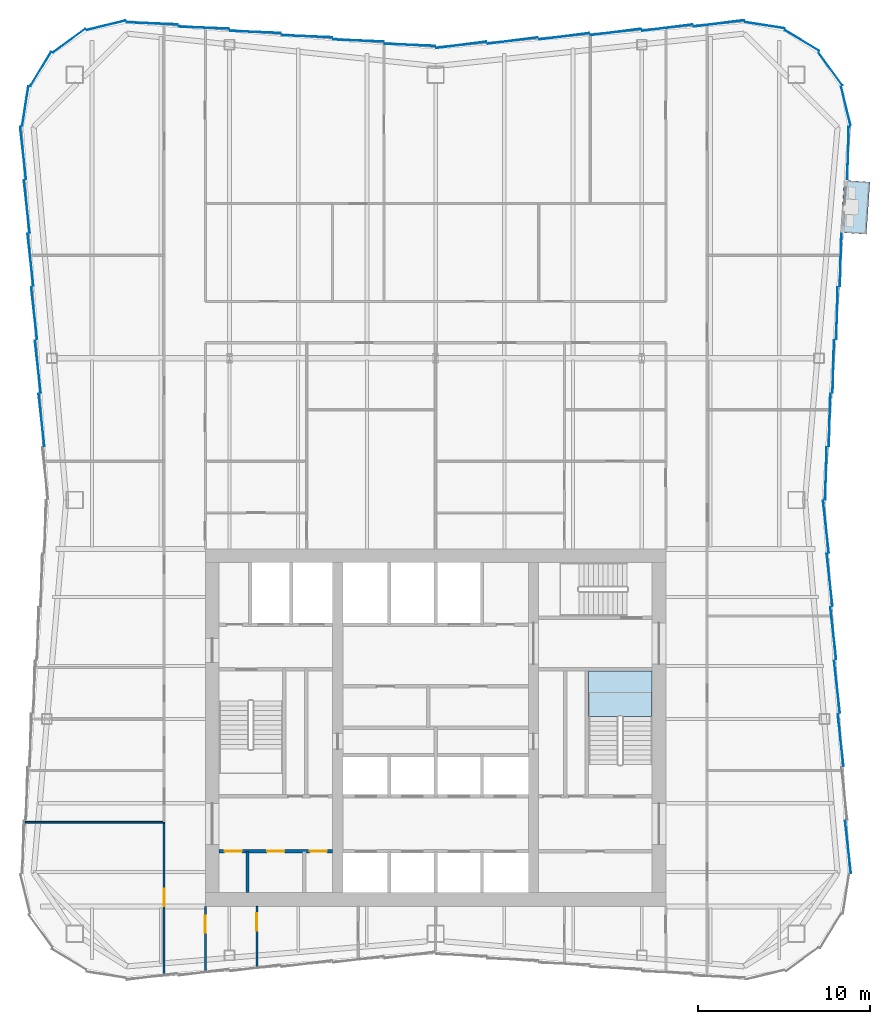
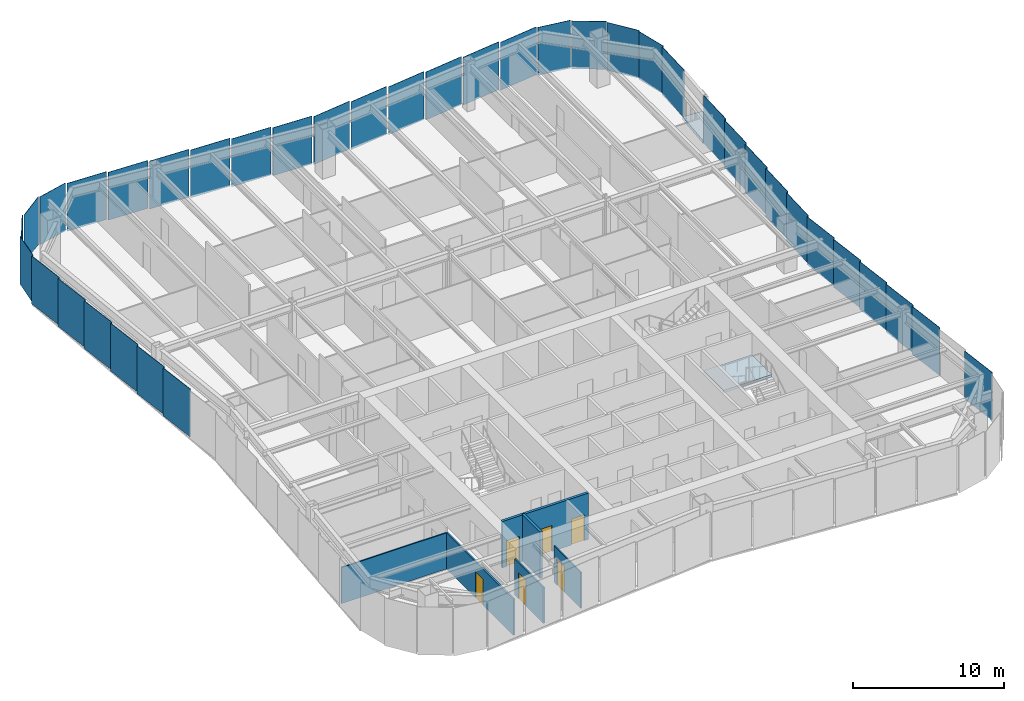
# One storey, part 5 of 12: 38 plates, 6 doors, 6 walls, 2 slabs, 6 openings, 6 elements without a shape of their own.
"""IFC4 building model written with IfcOpenShell, lengths in metres."""

import ifcopenshell
import ifcopenshell.guid

model = None  # the IFC model being written
_history = None  # IfcOwnerHistory: only IFC2X3 demands one
_inside = {}  # id of a spatial element -> (the spatial element, [elements in it])
_under = {}  # id of a project, library or spatial element -> (it, [spatial elements below it])
_declared = {}  # id of a project -> (the project, [libraries it declares])
_typed = {}  # id of a type object -> (the type object, [elements of that type])
_made_of = {}  # id of a material, layer set ... -> (it, [elements and type objects made of it])


def new_model(schema):
    """Start an empty IFC model of exactly this schema.

    Asked for "IFC4X3", IfcOpenShell would pick the latest addendum, in which some entities
    have other attributes; the version numbers below select the first issue.
    IFC2X3 requires an IfcOwnerHistory on every rooted entity: one is made here for all.
    """
    global model, _history
    if schema == "IFC4X3":
        model = ifcopenshell.file(schema_version=(4, 3, 0, 0))
    else:
        model = ifcopenshell.file(schema=schema)
    _inside.clear()
    _under.clear()
    _declared.clear()
    _typed.clear()
    _made_of.clear()
    _history = None
    if model.schema == "IFC2X3":
        org = make("IfcOrganization", Name="unknown")
        user = make(
            "IfcPersonAndOrganization",
            ThePerson=make("IfcPerson", FamilyName="unknown"),
            TheOrganization=org,
        )
        app = make(
            "IfcApplication",
            ApplicationDeveloper=org,
            Version="unknown",
            ApplicationFullName="unknown",
            ApplicationIdentifier="unknown",
        )
        _history = make(
            "IfcOwnerHistory",
            OwningUser=user,
            OwningApplication=app,
            ChangeAction="ADDED",
            CreationDate=0,
        )
    return model


def make(cls, **values):
    """One entity of the class cls with the attributes given. An attribute that is None is left unset."""
    return model.create_entity(
        cls, **{name: value for name, value in values.items() if value is not None}
    )


def rooted(cls, **values):
    """An entity with a GlobalId (a new one), such as an element, a storey or a relation."""
    return make(cls, GlobalId=ifcopenshell.guid.new(), OwnerHistory=_history, **values)


def si_unit(unit_type, name, prefix=None):
    """IfcSIUnit, for example si_unit("LENGTHUNIT", "METRE", prefix="MILLI")."""
    return make("IfcSIUnit", UnitType=unit_type, Prefix=prefix, Name=name)


def assignment(units):
    """IfcUnitAssignment: the units of a project."""
    return None if units is None else make("IfcUnitAssignment", Units=units)


def point(xyz):
    """IfcCartesianPoint."""
    return None if xyz is None else make("IfcCartesianPoint", Coordinates=xyz)


def direction(xyz):
    """IfcDirection."""
    return None if xyz is None else make("IfcDirection", DirectionRatios=xyz)


def frame(location, z_axis=None, x_axis=None):
    """IfcAxis2Placement3D, a coordinate frame: its origin and axes. An axis left out is left unset."""
    return make(
        "IfcAxis2Placement3D",
        Location=point(location),
        Axis=direction(z_axis),
        RefDirection=direction(x_axis),
    )


def frame_2d(location, x_axis=None):
    """IfcAxis2Placement2D, a coordinate frame in the plane: its origin and x axis."""
    return make(
        "IfcAxis2Placement2D", Location=point(location), RefDirection=direction(x_axis)
    )


def origin():
    """The frame at (0, 0, 0) with its axes left unset."""
    return frame((0.0, 0.0, 0.0))


def origin_2d():
    """The frame at (0, 0) in the plane with its x axis left unset."""
    return frame_2d((0.0, 0.0))


def place(relative_to, where):
    """IfcLocalPlacement: puts the frame where relative to a parent placement (None: the world)."""
    return make(
        "IfcLocalPlacement", PlacementRelTo=relative_to, RelativePlacement=where
    )


def context(
    kind, dimensions, precision=None, world=None, true_north=None, identifier=None
):
    """IfcGeometricRepresentationContext, for example the 3D "Model" context."""
    return make(
        "IfcGeometricRepresentationContext",
        ContextIdentifier=identifier,
        ContextType=kind,
        CoordinateSpaceDimension=dimensions,
        Precision=precision,
        WorldCoordinateSystem=world,
        TrueNorth=true_north,
    )


def subcontext(parent, identifier, kind, view, scale=None):
    """IfcGeometricRepresentationSubContext, for example "Body" below "Model"."""
    return make(
        "IfcGeometricRepresentationSubContext",
        ContextIdentifier=identifier,
        ContextType=kind,
        ParentContext=parent,
        TargetScale=scale,
        TargetView=view,
    )


def project(units=None, contexts=None):
    """IfcProject with its units and contexts."""
    return rooted(
        "IfcProject",
        Name="project",
        RepresentationContexts=contexts,
        UnitsInContext=assignment(units),
    )


def spatial(cls, under=None, at=None, **own):
    """A site, building, storey or space (cls), placed at a placement, below another one or the project."""
    s = rooted(cls, ObjectPlacement=at, **own)
    if under is not None:
        _under.setdefault(under.id(), (under, []))[1].append(s)
    return s


def polyline(points):
    """IfcPolyline through the points."""
    return make("IfcPolyline", Points=[point(p) for p in points])


def profile(cls, at=None, kind="AREA", **sizes):
    """A parametric profile (cls). Its sizes go by their IFC names, for example OverallWidth=200.0."""
    return make(cls, ProfileType=kind, Position=at, **sizes)


def rectangle(**sizes):
    """IfcRectangleProfileDef."""
    return profile("IfcRectangleProfileDef", **sizes)


def outline(outer, holes=None, kind="AREA"):
    """IfcArbitraryClosedProfileDef: a profile drawn as a closed curve; with holes, ...WithVoids."""
    if holes is None:
        return make("IfcArbitraryClosedProfileDef", ProfileType=kind, OuterCurve=outer)
    return make(
        "IfcArbitraryProfileDefWithVoids",
        ProfileType=kind,
        OuterCurve=outer,
        InnerCurves=holes,
    )


def extrude(swept, where, along, depth):
    """IfcExtrudedAreaSolid: the profile swept, set in the frame where, extruded along a direction by depth."""
    return make(
        "IfcExtrudedAreaSolid",
        SweptArea=swept,
        Position=where,
        ExtrudedDirection=direction(along),
        Depth=depth,
    )


def shape(context_of_items, identifier, shape_type, items):
    """IfcShapeRepresentation: the items that make up one representation, for example the "Body"."""
    return make(
        "IfcShapeRepresentation",
        ContextOfItems=context_of_items,
        RepresentationIdentifier=identifier,
        RepresentationType=shape_type,
        Items=items,
    )


def material(Name=None, Category=None):
    """IfcMaterial."""
    return make("IfcMaterial", Name=Name, Category=Category)


def layer(
    of_material, thickness, ventilated=None, Name=None, Category=None, Priority=None
):
    """IfcMaterialLayer: one layer of a wall or slab, of a material (None: an air gap)."""
    return make(
        "IfcMaterialLayer",
        Material=of_material,
        LayerThickness=thickness,
        IsVentilated=ventilated,
        Name=Name,
        Category=Category,
        Priority=Priority,
    )


def layer_set(layers, Name=None):
    """IfcMaterialLayerSet."""
    return make("IfcMaterialLayerSet", MaterialLayers=layers, LayerSetName=Name)


def made_of(thing, what):
    """Note that an element or type object is made of a material, layer set ...; save() writes the relation."""
    if what is not None:
        _made_of.setdefault(what.id(), (what, []))[1].append(thing)
    return thing


def type_object(cls, material=None, **own):
    """A type object (cls), such as IfcWallType, which elements share."""
    return made_of(rooted(cls, **own), material)


def element(
    cls,
    number,
    at=None,
    inside=None,
    cuts=None,
    type_object=None,
    material=None,
    context=None,
    identifier="Body",
    shape_type=None,
    held_by="IfcProductDefinitionShape",
    body=None,
    shapes=None,
    **own,
):
    """One element of the class cls, such as IfcWall. Its Tag is "e" and its number.

    at: its placement. inside: the storey or other place that contains it. cuts: it is an
    opening in that element (IfcRelVoidsElement). A single representation is given by context,
    identifier, shape_type and body (its items); several are given by shapes. held_by: the class
    of the entity that holds the representations. save() writes the other relations.
    """
    e = rooted(cls, Tag="e%d" % number, ObjectPlacement=at, **own)
    if body is not None:
        shapes = [shape(context, identifier, shape_type, body)]
    if shapes is not None:
        e.Representation = make(held_by, Representations=shapes)
    if inside is not None:
        _inside.setdefault(inside.id(), (inside, []))[1].append(e)
    if cuts is not None:
        rooted(
            "IfcRelVoidsElement", RelatingBuildingElement=cuts, RelatedOpeningElement=e
        )
    if type_object is not None:
        _typed.setdefault(type_object.id(), (type_object, []))[1].append(e)
    return made_of(e, material)


def fill(opening, filler):
    """IfcRelFillsElement: the door or window that sits in an opening."""
    return rooted(
        "IfcRelFillsElement",
        RelatingOpeningElement=opening,
        RelatedBuildingElement=filler,
    )


def aggregate(whole, parts):
    """IfcRelAggregates: a whole, such as a stair, and the parts it consists of."""
    return rooted("IfcRelAggregates", RelatingObject=whole, RelatedObjects=parts)


def save(model, path):
    """Write the relations noted so far, then the file.

    IfcRelAggregates (storeys below a building ...), IfcRelContainedInSpatialStructure (elements
    in a storey), IfcRelDefinesByType, IfcRelAssociatesMaterial and IfcRelDeclares: one each for
    every whole, place, type object, material and project.
    """
    for whole, parts in _under.values():
        aggregate(whole, parts)
    for where, things in _inside.values():
        rooted(
            "IfcRelContainedInSpatialStructure",
            RelatedElements=things,
            RelatingStructure=where,
        )
    for kind, things in _typed.values():
        rooted("IfcRelDefinesByType", RelatedObjects=things, RelatingType=kind)
    for what, things in _made_of.values():
        rooted("IfcRelAssociatesMaterial", RelatedObjects=things, RelatingMaterial=what)
    for by, libraries in _declared.values():
        rooted("IfcRelDeclares", RelatingContext=by, RelatedDefinitions=libraries)
    model.write(path)


model = new_model("IFC4")

# Units and contexts
model_context = context("Model", 3, precision=1e-05, world=origin(), true_north=direction((0.0, 1.0)))
body_context = subcontext(model_context, "Body", "Model", "MODEL_VIEW")
ifc_project = project(units=[si_unit("LENGTHUNIT", "METRE"), si_unit("AREAUNIT", "SQUARE_METRE"), si_unit("VOLUMEUNIT", "CUBIC_METRE"), si_unit("PLANEANGLEUNIT", "RADIAN"), si_unit("MASSUNIT", "GRAM", prefix="KILO")], contexts=[model_context])

# Site, building, storey
site_placement = place(None, origin())
site = spatial("IfcSite", under=ifc_project, at=site_placement, CompositionType="ELEMENT")
building_placement = place(site_placement, origin())
building = spatial("IfcBuilding", under=site, at=building_placement, Name="Verdant Reach Tower", CompositionType="ELEMENT")
storey_placement = place(building_placement, frame((0.0, 0.0, 278.0)))
storey = spatial("IfcBuildingStorey", under=building, at=storey_placement, Name="L64", CompositionType="ELEMENT", Elevation=278.0)

# Stair, slab
ifc_material_1 = material(Name="Concrete C40/50", Category="concrete")
stair_type = type_object("IfcStairType", Name="CO-STAIR", PredefinedType="HALF_TURN_STAIR", material=ifc_material_1)
stair_placement = place(storey_placement, origin())
stair = element("IfcStair", 1, at=stair_placement, inside=storey, type_object=stair_type, Name="L64 Exit stair 2", PredefinedType="HALF_TURN_STAIR")
ifc_layer_1 = layer(ifc_material_1, 0.199951171875)
ifc_layer_set_1 = layer_set([ifc_layer_1], Name="CO-STAIR-LANDING")
slab_type_1 = type_object("IfcSlabType", Name="CO-STAIR-LANDING", PredefinedType="LANDING", material=ifc_layer_set_1)
slab_1_placement = place(storey_placement, frame((0.0, 0.0, 1.800048828125)))
slab_1 = element("IfcSlab", 2, at=slab_1_placement, type_object=slab_type_1, Name="ST-2 landing 1", PredefinedType="LANDING", context=body_context, shape_type="SweptSolid", body=[
    extrude(outline(polyline([(12.60009765625, 28.64990234375), (12.60009765625, 31.300048828125), (8.89990234375, 31.300048828125), (8.89990234375, 28.64990234375), (12.60009765625, 28.64990234375)])), origin(), (0.0, 0.0, 1.0), 0.199951171875),
])
aggregate(stair, [slab_1])

# Slab
ifc_material_2 = material(Name="Concrete C35/45", Category="concrete")
ifc_layer_2 = layer(ifc_material_2, 0.25)
ifc_layer_set_2 = layer_set([ifc_layer_2], Name="EN-BALCONY SLAB")
slab_type_2 = type_object("IfcSlabType", Name="EN-BALCONY SLAB", PredefinedType="FLOOR", material=ifc_layer_set_2)
slab_2_placement = place(storey_placement, frame((0.0, 0.0, -0.25)))
element("IfcSlab", 3, at=slab_2_placement, inside=storey, type_object=slab_type_2, Name="Balcony slab 1, L64", PredefinedType="FLOOR", context=body_context, shape_type="SweptSolid", body=[
    extrude(outline(polyline([(23.57373046875, 56.819580078125), (23.783447265625, 59.85888671875), (25.27978515625, 59.755615234375), (25.0703125, 56.71630859375), (23.57373046875, 56.819580078125)])), origin(), (0.0, 0.0, 1.0), 0.25),
])

# Curtain wall, plates
ifc_material_3 = material(Name="Anodised aluminium", Category="aluminium")
curtain_wall_type = type_object("IfcCurtainWallType", Name="EN-CW SYSTEM Z4", PredefinedType="NOTDEFINED", material=ifc_material_3)
curtain_wall_1_placement = place(storey_placement, origin())
curtain_wall_1 = element("IfcCurtainWall", 4, at=curtain_wall_1_placement, inside=storey, type_object=curtain_wall_type, Name="Curtain wall east, L64", PredefinedType="NOTDEFINED")
ifc_material_4 = material(Name="Tinted glass with champagne spandrel", Category="glass")
ifc_layer_3 = layer(ifc_material_4, 0.031982421875)
ifc_layer_set_3 = layer_set([ifc_layer_3], Name="EN-PANEL CHAMPAGNE")
plate_type_1 = type_object("IfcPlateType", Name="EN-PANEL CHAMPAGNE", PredefinedType="CURTAIN_PANEL", material=ifc_layer_set_3)
plate_1_placement = place(storey_placement, frame((24.004638671875, 21.053955078125, -0.221923828125), z_axis=(0.0, 0.0, 1.0), x_axis=(-0.110205903836, 0.993908777886, 0.0)))
plate_1 = element("IfcPlate", 5, at=plate_1_placement, type_object=plate_type_1, Name="Glass panel east face part 1 1.1, L64", PredefinedType="CURTAIN_PANEL", context=body_context, shape_type="SweptSolid", body=[
    extrude(rectangle(XDim=3.0654296875, YDim=0.031982421875, at=origin_2d()), origin(), (0.0, 0.0, 1.0), 3.8720703125),
])
plate_2_placement = place(storey_placement, frame((23.575927734375, 27.275634765625, -0.221923828125), z_axis=(0.0, 0.0, 1.0), x_axis=(-0.110518162674, 0.993874104562, 0.0)))
plate_2 = element("IfcPlate", 6, at=plate_2_placement, type_object=plate_type_1, Name="Glass panel east face part 1 3.1, L64", PredefinedType="CURTAIN_PANEL", context=body_context, shape_type="SweptSolid", body=[
    extrude(rectangle(XDim=3.050537109375, YDim=0.031982421875, at=origin_2d()), origin(), (0.0, 0.0, 1.0), 3.8720703125),
])
plate_3_placement = place(storey_placement, frame((23.1474609375, 49.01025390625, -0.221923828125), z_axis=(0.0, 0.0, 1.0), x_axis=(0.026965318308, 0.999636369691, 0.0)))
plate_3 = element("IfcPlate", 7, at=plate_3_placement, type_object=plate_type_1, Name="Glass panel east face part 2 3.1, L64", PredefinedType="CURTAIN_PANEL", context=body_context, shape_type="SweptSolid", body=[
    extrude(rectangle(XDim=3.050537109375, YDim=0.031982421875, at=origin_2d()), origin(), (0.0, 0.0, 1.0), 3.8720703125),
])
plate_4_placement = place(storey_placement, frame((23.36181640625, 52.1171875, -0.221923828125), z_axis=(0.0, 0.0, 1.0), x_axis=(0.026965318308, 0.999636369691, 0.0)))
plate_4 = element("IfcPlate", 8, at=plate_4_placement, type_object=plate_type_1, Name="Glass panel east face part 2 4.1, L64", PredefinedType="CURTAIN_PANEL", context=body_context, shape_type="SweptSolid", body=[
    extrude(rectangle(XDim=3.050537109375, YDim=0.031982421875, at=origin_2d()), origin(), (0.0, 0.0, 1.0), 3.8720703125),
])

curtain_wall_2_placement = place(storey_placement, origin())
curtain_wall_2 = element("IfcCurtainWall", 9, at=curtain_wall_2_placement, inside=storey, type_object=curtain_wall_type, Name="Curtain wall north-east corner, L64", PredefinedType="NOTDEFINED")
plate_5_placement = place(storey_placement, frame((23.87939453125, 64.173095703125, -0.221923828125), z_axis=(0.0, 0.0, 1.0), x_axis=(-0.236458850433, 0.971641503875, 0.0)))
plate_5 = element("IfcPlate", 10, at=plate_5_placement, type_object=plate_type_1, Name="Glass panel north-east corner 1.1, L64", PredefinedType="CURTAIN_PANEL", context=body_context, shape_type="SweptSolid", body=[
    extrude(rectangle(XDim=2.313720703125, YDim=0.031982421875, at=origin_2d()), origin(), (0.0, 0.0, 1.0), 3.8720703125),
])
plate_6_placement = place(storey_placement, frame((22.984375, 66.330322265625, -0.221923828125), z_axis=(0.0, 0.0, 1.0), x_axis=(-0.589926737254, 0.80745677573, 0.0)))
plate_6 = element("IfcPlate", 11, at=plate_6_placement, type_object=plate_type_1, Name="Glass panel north-east corner 2.1, L64", PredefinedType="CURTAIN_PANEL", context=body_context, shape_type="SweptSolid", body=[
    extrude(rectangle(XDim=2.32080078125, YDim=0.031982421875, at=origin_2d()), origin(), (0.0, 0.0, 1.0), 3.8720703125),
])
plate_7_placement = place(storey_placement, frame((21.330322265625, 67.984375, -0.221923828125), z_axis=(0.0, 0.0, 1.0), x_axis=(-0.853988708265, 0.520291539577, 0.0)))
plate_7 = element("IfcPlate", 12, at=plate_7_placement, type_object=plate_type_1, Name="Glass panel north-east corner 3.1, L64", PredefinedType="CURTAIN_PANEL", context=body_context, shape_type="SweptSolid", body=[
    extrude(rectangle(XDim=2.32080078125, YDim=0.031982421875, at=origin_2d()), origin(), (0.0, 0.0, 1.0), 3.8720703125),
])

curtain_wall_3_placement = place(storey_placement, origin())
curtain_wall_3 = element("IfcCurtainWall", 13, at=curtain_wall_3_placement, inside=storey, type_object=curtain_wall_type, Name="Curtain wall north, L64", PredefinedType="NOTDEFINED")
plate_8_placement = place(storey_placement, frame((16.49853515625, 68.98681640625, -0.221923828125), z_axis=(0.0, 0.0, 1.0), x_axis=(-0.992238962139, -0.124345655383, 0.0)))
plate_8 = element("IfcPlate", 14, at=plate_8_placement, type_object=plate_type_1, Name="Glass panel north face part 1 1.1, L64", PredefinedType="CURTAIN_PANEL", context=body_context, shape_type="SweptSolid", body=[
    extrude(rectangle(XDim=2.9619140625, YDim=0.031982421875, at=origin_2d()), origin(), (0.0, 0.0, 1.0), 3.8720703125),
])
plate_9_placement = place(storey_placement, frame((-1.495361328125, 67.73681640625, -0.221923828125), z_axis=(0.0, 0.0, 1.0), x_axis=(-0.999143877249, 0.041370430933, 0.0)))
plate_9 = element("IfcPlate", 15, at=plate_9_placement, type_object=plate_type_1, Name="Glass panel north face part 2 1.1, L64", PredefinedType="CURTAIN_PANEL", context=body_context, shape_type="SweptSolid", body=[
    extrude(rectangle(XDim=2.93701171875, YDim=0.031982421875, at=origin_2d()), origin(), (0.0, 0.0, 1.0), 3.8720703125),
])
plate_10_placement = place(storey_placement, frame((-4.49072265625, 67.986572265625, -0.221923828125), z_axis=(0.0, 0.0, 1.0), x_axis=(-0.999149202059, 0.041241629766, 0.0)))
plate_10 = element("IfcPlate", 16, at=plate_10_placement, type_object=plate_type_1, Name="Glass panel north face part 2 2.1, L64", PredefinedType="CURTAIN_PANEL", context=body_context, shape_type="SweptSolid", body=[
    extrude(rectangle(XDim=2.9462890625, YDim=0.031982421875, at=origin_2d()), origin(), (0.0, 0.0, 1.0), 3.8720703125),
])

# Curtain wall, plate
curtain_wall_4_placement = place(storey_placement, origin())
curtain_wall_4 = element("IfcCurtainWall", 17, at=curtain_wall_4_placement, inside=storey, type_object=curtain_wall_type, Name="Curtain wall north-west corner, L64", PredefinedType="NOTDEFINED")
plate_11_placement = place(storey_placement, frame((-19.172607421875, 68.87939453125, -0.221923828125), z_axis=(0.0, 0.0, 1.0), x_axis=(-0.971652337104, -0.236414330786, 0.0)))
plate_11 = element("IfcPlate", 18, at=plate_11_placement, type_object=plate_type_1, Name="Glass panel north-west corner 1.1, L64", PredefinedType="CURTAIN_PANEL", context=body_context, shape_type="SweptSolid", body=[
    extrude(rectangle(XDim=2.314453125, YDim=0.031982421875, at=origin_2d()), origin(), (0.0, 0.0, 1.0), 3.8720703125),
])

# Curtain wall, plates
curtain_wall_5_placement = place(storey_placement, origin())
curtain_wall_5 = element("IfcCurtainWall", 19, at=curtain_wall_5_placement, inside=storey, type_object=curtain_wall_type, Name="Curtain wall west, L64", PredefinedType="NOTDEFINED")
plate_12_placement = place(storey_placement, frame((-23.1474609375, 49.01025390625, -0.221923828125), z_axis=(0.0, 0.0, 1.0), x_axis=(0.110518162674, -0.993874104562, 0.0)))
plate_12 = element("IfcPlate", 20, at=plate_12_placement, type_object=plate_type_1, Name="Glass panel west face part 1 5.1, L64", PredefinedType="CURTAIN_PANEL", context=body_context, shape_type="SweptSolid", body=[
    extrude(rectangle(XDim=3.050537109375, YDim=0.031982421875, at=origin_2d()), origin(), (0.0, 0.0, 1.0), 3.8720703125),
])
plate_13_placement = place(storey_placement, frame((-22.93310546875, 45.903076171875, -0.221923828125), z_axis=(0.0, 0.0, 1.0), x_axis=(0.110518162674, -0.993874104562, 0.0)))
plate_13 = element("IfcPlate", 21, at=plate_13_placement, type_object=plate_type_1, Name="Glass panel west face part 1 6.1, L64", PredefinedType="CURTAIN_PANEL", context=body_context, shape_type="SweptSolid", body=[
    extrude(rectangle(XDim=3.050537109375, YDim=0.031982421875, at=origin_2d()), origin(), (0.0, 0.0, 1.0), 3.8720703125),
])

# Plate
ifc_material_5 = material(Name="Tinted glass with copper spandrel", Category="glass")
ifc_layer_4 = layer(ifc_material_5, 0.031982421875)
ifc_layer_set_4 = layer_set([ifc_layer_4], Name="EN-PANEL COPPER")
plate_type_2 = type_object("IfcPlateType", Name="EN-PANEL COPPER", PredefinedType="CURTAIN_PANEL", material=ifc_layer_set_4)
plate_14_placement = place(storey_placement, frame((23.36181640625, 30.3828125, -0.221923828125), z_axis=(0.0, 0.0, 1.0), x_axis=(-0.110518162674, 0.993874104562, 0.0)))
plate_14 = element("IfcPlate", 22, at=plate_14_placement, type_object=plate_type_2, Name="Glass panel east face part 1 4.1, L64", PredefinedType="CURTAIN_PANEL", context=body_context, shape_type="SweptSolid", body=[
    extrude(rectangle(XDim=3.050537109375, YDim=0.031982421875, at=origin_2d()), origin(), (0.0, 0.0, 1.0), 3.8720703125),
])

plate_15_placement = place(storey_placement, frame((23.1474609375, 33.48974609375, -0.221923828125), z_axis=(0.0, 0.0, 1.0), x_axis=(-0.110518162674, 0.993874104562, 0.0)))
plate_15 = element("IfcPlate", 23, at=plate_15_placement, type_object=plate_type_2, Name="Glass panel east face part 1 5.1, L64", PredefinedType="CURTAIN_PANEL", context=body_context, shape_type="SweptSolid", body=[
    extrude(rectangle(XDim=3.050537109375, YDim=0.031982421875, at=origin_2d()), origin(), (0.0, 0.0, 1.0), 3.8720703125),
])

plate_16_placement = place(storey_placement, frame((23.575927734375, 55.224365234375, -0.221923828125), z_axis=(0.0, 0.0, 1.0), x_axis=(0.026965318308, 0.999636369691, 0.0)))
plate_16 = element("IfcPlate", 24, at=plate_16_placement, type_object=plate_type_2, Name="Glass panel east face part 2 5.1, L64", PredefinedType="CURTAIN_PANEL", context=body_context, shape_type="SweptSolid", body=[
    extrude(rectangle(XDim=3.050537109375, YDim=0.031982421875, at=origin_2d()), origin(), (0.0, 0.0, 1.0), 3.8720703125),
])

plate_17_placement = place(storey_placement, frame((24.004638671875, 61.446044921875, -0.221923828125), z_axis=(0.0, 0.0, 1.0), x_axis=(0.026651253217, 0.999644792265, 0.0)))
plate_17 = element("IfcPlate", 25, at=plate_17_placement, type_object=plate_type_2, Name="Glass panel east face part 2 7.1, L64", PredefinedType="CURTAIN_PANEL", context=body_context, shape_type="SweptSolid", body=[
    extrude(rectangle(XDim=3.0654296875, YDim=0.031982421875, at=origin_2d()), origin(), (0.0, 0.0, 1.0), 3.8720703125),
])

plate_18_placement = place(storey_placement, frame((19.172607421875, 68.87939453125, -0.221923828125), z_axis=(0.0, 0.0, 1.0), x_axis=(-0.98802725693, 0.154279420415, 0.0)))
plate_18 = element("IfcPlate", 26, at=plate_18_placement, type_object=plate_type_2, Name="Glass panel north-east corner 4.1, L64", PredefinedType="CURTAIN_PANEL", context=body_context, shape_type="SweptSolid", body=[
    extrude(rectangle(XDim=2.314453125, YDim=0.031982421875, at=origin_2d()), origin(), (0.0, 0.0, 1.0), 3.8720703125),
])

aggregate(curtain_wall_2, [plate_5, plate_6, plate_7, plate_18])

plate_19_placement = place(storey_placement, frame((13.49072265625, 68.736572265625, -0.221923828125), z_axis=(0.0, 0.0, 1.0), x_axis=(-0.992194034542, -0.124703639961, 0.0)))
plate_19 = element("IfcPlate", 27, at=plate_19_placement, type_object=plate_type_2, Name="Glass panel north face part 1 2.1, L64", PredefinedType="CURTAIN_PANEL", context=body_context, shape_type="SweptSolid", body=[
    extrude(rectangle(XDim=2.9462890625, YDim=0.031982421875, at=origin_2d()), origin(), (0.0, 0.0, 1.0), 3.8720703125),
])

plate_20_placement = place(storey_placement, frame((10.49072265625, 68.486572265625, -0.221923828125), z_axis=(0.0, 0.0, 1.0), x_axis=(-0.992194034542, -0.124703639961, 0.0)))
plate_20 = element("IfcPlate", 28, at=plate_20_placement, type_object=plate_type_2, Name="Glass panel north face part 1 3.1, L64", PredefinedType="CURTAIN_PANEL", context=body_context, shape_type="SweptSolid", body=[
    extrude(rectangle(XDim=2.9462890625, YDim=0.031982421875, at=origin_2d()), origin(), (0.0, 0.0, 1.0), 3.8720703125),
])

plate_21_placement = place(storey_placement, frame((-7.49072265625, 68.236572265625, -0.221923828125), z_axis=(0.0, 0.0, 1.0), x_axis=(-0.999149202059, 0.041241629766, 0.0)))
plate_21 = element("IfcPlate", 29, at=plate_21_placement, type_object=plate_type_2, Name="Glass panel north face part 2 3.1, L64", PredefinedType="CURTAIN_PANEL", context=body_context, shape_type="SweptSolid", body=[
    extrude(rectangle(XDim=2.9462890625, YDim=0.031982421875, at=origin_2d()), origin(), (0.0, 0.0, 1.0), 3.8720703125),
])

plate_22_placement = place(storey_placement, frame((-10.49072265625, 68.486572265625, -0.221923828125), z_axis=(0.0, 0.0, 1.0), x_axis=(-0.999149202059, 0.041241629766, 0.0)))
plate_22 = element("IfcPlate", 30, at=plate_22_placement, type_object=plate_type_2, Name="Glass panel north face part 2 4.1, L64", PredefinedType="CURTAIN_PANEL", context=body_context, shape_type="SweptSolid", body=[
    extrude(rectangle(XDim=2.9462890625, YDim=0.031982421875, at=origin_2d()), origin(), (0.0, 0.0, 1.0), 3.8720703125),
])

plate_23_placement = place(storey_placement, frame((-13.49072265625, 68.736572265625, -0.221923828125), z_axis=(0.0, 0.0, 1.0), x_axis=(-0.999149202059, 0.041241629766, 0.0)))
plate_23 = element("IfcPlate", 31, at=plate_23_placement, type_object=plate_type_2, Name="Glass panel north face part 2 5.1, L64", PredefinedType="CURTAIN_PANEL", context=body_context, shape_type="SweptSolid", body=[
    extrude(rectangle(XDim=2.9462890625, YDim=0.031982421875, at=origin_2d()), origin(), (0.0, 0.0, 1.0), 3.8720703125),
])

plate_24_placement = place(storey_placement, frame((-21.330322265625, 67.984375, -0.221923828125), z_axis=(0.0, 0.0, 1.0), x_axis=(-0.80745677573, -0.589926737254, 0.0)))
plate_24 = element("IfcPlate", 32, at=plate_24_placement, type_object=plate_type_2, Name="Glass panel north-west corner 2.1, L64", PredefinedType="CURTAIN_PANEL", context=body_context, shape_type="SweptSolid", body=[
    extrude(rectangle(XDim=2.32080078125, YDim=0.031982421875, at=origin_2d()), origin(), (0.0, 0.0, 1.0), 3.8720703125),
])

plate_25_placement = place(storey_placement, frame((-22.984375, 66.330322265625, -0.221923828125), z_axis=(0.0, 0.0, 1.0), x_axis=(-0.520291539577, -0.853988708265, 0.0)))
plate_25 = element("IfcPlate", 33, at=plate_25_placement, type_object=plate_type_2, Name="Glass panel north-west corner 3.1, L64", PredefinedType="CURTAIN_PANEL", context=body_context, shape_type="SweptSolid", body=[
    extrude(rectangle(XDim=2.32080078125, YDim=0.031982421875, at=origin_2d()), origin(), (0.0, 0.0, 1.0), 3.8720703125),
])

plate_26_placement = place(storey_placement, frame((-24.004638671875, 61.446044921875, -0.221923828125), z_axis=(0.0, 0.0, 1.0), x_axis=(0.110205903836, -0.993908777886, 0.0)))
plate_26 = element("IfcPlate", 34, at=plate_26_placement, type_object=plate_type_2, Name="Glass panel west face part 1 1.1, L64", PredefinedType="CURTAIN_PANEL", context=body_context, shape_type="SweptSolid", body=[
    extrude(rectangle(XDim=3.0654296875, YDim=0.031982421875, at=origin_2d()), origin(), (0.0, 0.0, 1.0), 3.8720703125),
])

plate_27_placement = place(storey_placement, frame((-23.790283203125, 58.33154296875, -0.221923828125), z_axis=(0.0, 0.0, 1.0), x_axis=(0.110518162674, -0.993874104562, 0.0)))
plate_27 = element("IfcPlate", 35, at=plate_27_placement, type_object=plate_type_2, Name="Glass panel west face part 1 2.1, L64", PredefinedType="CURTAIN_PANEL", context=body_context, shape_type="SweptSolid", body=[
    extrude(rectangle(XDim=3.050537109375, YDim=0.031982421875, at=origin_2d()), origin(), (0.0, 0.0, 1.0), 3.8720703125),
])

ifc_material_6 = material(Name="Tinted glass with dark bronze spandrel", Category="glass")
ifc_layer_5 = layer(ifc_material_6, 0.031982421875)
ifc_layer_set_5 = layer_set([ifc_layer_5], Name="EN-PANEL DARK")
plate_type_3 = type_object("IfcPlateType", Name="EN-PANEL DARK", PredefinedType="CURTAIN_PANEL", material=ifc_layer_set_5)
plate_28_placement = place(storey_placement, frame((22.93310546875, 36.596923828125, -0.221923828125), z_axis=(0.0, 0.0, 1.0), x_axis=(-0.110518162674, 0.993874104562, 0.0)))
plate_28 = element("IfcPlate", 36, at=plate_28_placement, type_object=plate_type_3, Name="Glass panel east face part 1 6.1, L64", PredefinedType="CURTAIN_PANEL", context=body_context, shape_type="SweptSolid", body=[
    extrude(rectangle(XDim=3.050537109375, YDim=0.031982421875, at=origin_2d()), origin(), (0.0, 0.0, 1.0), 3.8720703125),
])

plate_29_placement = place(storey_placement, frame((22.718994140625, 39.7001953125, -0.221923828125), z_axis=(0.0, 0.0, 1.0), x_axis=(-0.110603065042, 0.993864659802, 0.0)))
plate_29 = element("IfcPlate", 37, at=plate_29_placement, type_object=plate_type_3, Name="Glass panel east face part 1 7.1, L64", PredefinedType="CURTAIN_PANEL", context=body_context, shape_type="SweptSolid", body=[
    extrude(rectangle(XDim=3.042724609375, YDim=0.031982421875, at=origin_2d()), origin(), (0.0, 0.0, 1.0), 3.8720703125),
])

plate_30_placement = place(storey_placement, frame((22.718994140625, 42.7998046875, -0.221923828125), z_axis=(0.0, 0.0, 1.0), x_axis=(0.027050713229, 0.999634062502, 0.0)))
plate_30 = element("IfcPlate", 38, at=plate_30_placement, type_object=plate_type_3, Name="Glass panel east face part 2 1.1, L64", PredefinedType="CURTAIN_PANEL", context=body_context, shape_type="SweptSolid", body=[
    extrude(rectangle(XDim=3.042724609375, YDim=0.031982421875, at=origin_2d()), origin(), (0.0, 0.0, 1.0), 3.8720703125),
])

plate_31_placement = place(storey_placement, frame((22.93310546875, 45.903076171875, -0.221923828125), z_axis=(0.0, 0.0, 1.0), x_axis=(0.026965318308, 0.999636369691, 0.0)))
plate_31 = element("IfcPlate", 39, at=plate_31_placement, type_object=plate_type_3, Name="Glass panel east face part 2 2.1, L64", PredefinedType="CURTAIN_PANEL", context=body_context, shape_type="SweptSolid", body=[
    extrude(rectangle(XDim=3.050537109375, YDim=0.031982421875, at=origin_2d()), origin(), (0.0, 0.0, 1.0), 3.8720703125),
])

aggregate(curtain_wall_1, [plate_1, plate_2, plate_14, plate_15, plate_28, plate_29, plate_30, plate_31, plate_3, plate_4, plate_16, plate_17])

plate_32_placement = place(storey_placement, frame((7.49072265625, 68.236572265625, -0.221923828125), z_axis=(0.0, 0.0, 1.0), x_axis=(-0.992194034542, -0.124703639961, 0.0)))
plate_32 = element("IfcPlate", 40, at=plate_32_placement, type_object=plate_type_3, Name="Glass panel north face part 1 4.1, L64", PredefinedType="CURTAIN_PANEL", context=body_context, shape_type="SweptSolid", body=[
    extrude(rectangle(XDim=2.9462890625, YDim=0.031982421875, at=origin_2d()), origin(), (0.0, 0.0, 1.0), 3.8720703125),
])

plate_33_placement = place(storey_placement, frame((4.49072265625, 67.986572265625, -0.221923828125), z_axis=(0.0, 0.0, 1.0), x_axis=(-0.992194034542, -0.124703639961, 0.0)))
plate_33 = element("IfcPlate", 41, at=plate_33_placement, type_object=plate_type_3, Name="Glass panel north face part 1 5.1, L64", PredefinedType="CURTAIN_PANEL", context=body_context, shape_type="SweptSolid", body=[
    extrude(rectangle(XDim=2.9462890625, YDim=0.031982421875, at=origin_2d()), origin(), (0.0, 0.0, 1.0), 3.8720703125),
])

plate_34_placement = place(storey_placement, frame((1.495361328125, 67.73681640625, -0.221923828125), z_axis=(0.0, 0.0, 1.0), x_axis=(-0.992177950603, -0.124831543836, 0.0)))
plate_34 = element("IfcPlate", 42, at=plate_34_placement, type_object=plate_type_3, Name="Glass panel north face part 1 6.1, L64", PredefinedType="CURTAIN_PANEL", context=body_context, shape_type="SweptSolid", body=[
    extrude(rectangle(XDim=2.93701171875, YDim=0.031982421875, at=origin_2d()), origin(), (0.0, 0.0, 1.0), 3.8720703125),
])

plate_35_placement = place(storey_placement, frame((-16.49853515625, 68.98681640625, -0.221923828125), z_axis=(0.0, 0.0, 1.0), x_axis=(-0.999164016711, 0.040881141246, 0.0)))
plate_35 = element("IfcPlate", 43, at=plate_35_placement, type_object=plate_type_3, Name="Glass panel north face part 2 6.1, L64", PredefinedType="CURTAIN_PANEL", context=body_context, shape_type="SweptSolid", body=[
    extrude(rectangle(XDim=2.9619140625, YDim=0.031982421875, at=origin_2d()), origin(), (0.0, 0.0, 1.0), 3.8720703125),
])

aggregate(curtain_wall_3, [plate_8, plate_19, plate_20, plate_32, plate_33, plate_34, plate_9, plate_10, plate_21, plate_22, plate_23, plate_35])

plate_36_placement = place(storey_placement, frame((-23.87939453125, 64.173095703125, -0.221923828125), z_axis=(0.0, 0.0, 1.0), x_axis=(-0.154324690427, -0.988020187003, 0.0)))
plate_36 = element("IfcPlate", 44, at=plate_36_placement, type_object=plate_type_3, Name="Glass panel north-west corner 4.1, L64", PredefinedType="CURTAIN_PANEL", context=body_context, shape_type="SweptSolid", body=[
    extrude(rectangle(XDim=2.313720703125, YDim=0.031982421875, at=origin_2d()), origin(), (0.0, 0.0, 1.0), 3.8720703125),
])

aggregate(curtain_wall_4, [plate_11, plate_24, plate_25, plate_36])

plate_37_placement = place(storey_placement, frame((-23.575927734375, 55.224365234375, -0.221923828125), z_axis=(0.0, 0.0, 1.0), x_axis=(0.110518162674, -0.993874104562, 0.0)))
plate_37 = element("IfcPlate", 45, at=plate_37_placement, type_object=plate_type_3, Name="Glass panel west face part 1 3.1, L64", PredefinedType="CURTAIN_PANEL", context=body_context, shape_type="SweptSolid", body=[
    extrude(rectangle(XDim=3.050537109375, YDim=0.031982421875, at=origin_2d()), origin(), (0.0, 0.0, 1.0), 3.8720703125),
])

plate_38_placement = place(storey_placement, frame((-23.36181640625, 52.1171875, -0.221923828125), z_axis=(0.0, 0.0, 1.0), x_axis=(0.110518162674, -0.993874104562, 0.0)))
plate_38 = element("IfcPlate", 46, at=plate_38_placement, type_object=plate_type_3, Name="Glass panel west face part 1 4.1, L64", PredefinedType="CURTAIN_PANEL", context=body_context, shape_type="SweptSolid", body=[
    extrude(rectangle(XDim=3.050537109375, YDim=0.031982421875, at=origin_2d()), origin(), (0.0, 0.0, 1.0), 3.8720703125),
])

aggregate(curtain_wall_5, [plate_26, plate_27, plate_37, plate_38, plate_12, plate_13])

# Wall, openings, doors
ifc_material_7 = material(Name="Gypsum board on steel studs", Category="steel")
ifc_layer_6 = layer(ifc_material_7, 0.199951171875)
ifc_layer_set_6 = layer_set([ifc_layer_6], Name="CO-WALL-ROOM")
wall_type_1 = type_object("IfcWallType", Name="CO-WALL-ROOM", PredefinedType="PARTITIONING", material=ifc_layer_set_6)
wall_1_placement = place(storey_placement, frame((-12.60009765625, 20.800048828125, 0.0), z_axis=(0.0, 0.0, 1.0), x_axis=(1.0, 0.0, 0.0)))
wall_1 = element("IfcWall", 47, at=wall_1_placement, inside=storey, type_object=wall_type_1, Name="Core partition, L64", PredefinedType="PARTITIONING", context=body_context, shape_type="SweptSolid", body=[
    extrude(rectangle(XDim=6.60009765625, YDim=0.199951171875, at=frame_2d((3.300048828125, 0.0))), origin(), (0.0, 0.0, 1.0), 3.75),
])
opening_1_placement = place(wall_1_placement, frame((0.324951171875, 0.0, 0.0)))
opening_1 = element("IfcOpeningElement", 48, at=opening_1_placement, cuts=wall_1, Name="Opening CD", PredefinedType="OPENING", context=body_context, shape_type="SweptSolid", body=[
    extrude(rectangle(XDim=1.0, YDim=2.10009765625, at=frame_2d((0.5, 1.050048828125))), frame((0.0, 0.10986328125, 0.0), z_axis=(0.0, -1.0, 0.0), x_axis=(1.0, 0.0, 0.0)), (0.0, 0.0, 1.0), 0.219970703125),
])
opening_2_placement = place(wall_1_placement, frame((2.800048828125, 0.0, 0.0)))
opening_2 = element("IfcOpeningElement", 49, at=opening_2_placement, cuts=wall_1, Name="Opening CD", PredefinedType="OPENING", context=body_context, shape_type="SweptSolid", body=[
    extrude(rectangle(XDim=1.0, YDim=2.10009765625, at=frame_2d((0.5, 1.050048828125))), frame((0.0, 0.10986328125, 0.0), z_axis=(0.0, -1.0, 0.0), x_axis=(1.0, 0.0, 0.0)), (0.0, 0.0, 1.0), 0.219970703125),
])
opening_3_placement = place(wall_1_placement, frame((5.27490234375, 0.0, 0.0)))
opening_3 = element("IfcOpeningElement", 50, at=opening_3_placement, cuts=wall_1, Name="Opening CD", PredefinedType="OPENING", context=body_context, shape_type="SweptSolid", body=[
    extrude(rectangle(XDim=1.0, YDim=2.10009765625, at=frame_2d((0.5, 1.050048828125))), frame((0.0, 0.10986328125, 0.0), z_axis=(0.0, -1.0, 0.0), x_axis=(1.0, 0.0, 0.0)), (0.0, 0.0, 1.0), 0.219970703125),
])
ifc_material_8 = material(Name="Timber", Category="wood")
door_type_1 = type_object("IfcDoorType", Name="CO-DOOR-ROOM", OperationType="NOTDEFINED", PredefinedType="DOOR", material=ifc_material_8)
door_1_placement = place(opening_1_placement, origin())
door_1 = element("IfcDoor", 51, at=door_1_placement, inside=storey, type_object=door_type_1, Name="Core room door, L64", OperationType="SINGLE_SWING_RIGHT", OverallHeight=2.10009765625, OverallWidth=1.0, PredefinedType="DOOR", context=body_context, shape_type="SweptSolid", body=[
    extrude(rectangle(XDim=1.0, YDim=2.10009765625, at=frame_2d((0.5, 1.050048828125))), frame((0.0, 0.02490234375, 0.0), z_axis=(0.0, -1.0, 0.0), x_axis=(1.0, 0.0, 0.0)), (0.0, 0.0, 1.0), 0.050048828125),
])
fill(opening_1, door_1)
door_2_placement = place(opening_2_placement, origin())
door_2 = element("IfcDoor", 52, at=door_2_placement, inside=storey, type_object=door_type_1, Name="Core room door, L64", OperationType="SINGLE_SWING_RIGHT", OverallHeight=2.10009765625, OverallWidth=1.0, PredefinedType="DOOR", context=body_context, shape_type="SweptSolid", body=[
    extrude(rectangle(XDim=1.0, YDim=2.10009765625, at=frame_2d((0.5, 1.050048828125))), frame((0.0, 0.02490234375, 0.0), z_axis=(0.0, -1.0, 0.0), x_axis=(1.0, 0.0, 0.0)), (0.0, 0.0, 1.0), 0.050048828125),
])
fill(opening_2, door_2)
door_3_placement = place(opening_3_placement, origin())
door_3 = element("IfcDoor", 53, at=door_3_placement, inside=storey, type_object=door_type_1, Name="Core room door, L64", OperationType="SINGLE_SWING_RIGHT", OverallHeight=2.10009765625, OverallWidth=1.0, PredefinedType="DOOR", context=body_context, shape_type="SweptSolid", body=[
    extrude(rectangle(XDim=1.0, YDim=2.10009765625, at=frame_2d((0.5, 1.050048828125))), frame((0.0, 0.02490234375, 0.0), z_axis=(0.0, -1.0, 0.0), x_axis=(1.0, 0.0, 0.0)), (0.0, 0.0, 1.0), 0.050048828125),
])
fill(opening_3, door_3)

# Walls
wall_2_placement = place(storey_placement, frame((-10.949951171875, 18.39990234375, 0.0), z_axis=(0.0, 0.0, 1.0), x_axis=(0.0, 1.0, 0.0)))
element("IfcWall", 54, at=wall_2_placement, inside=storey, type_object=wall_type_1, Name="Core partition, L64", PredefinedType="PARTITIONING", context=body_context, shape_type="SweptSolid", body=[
    extrude(rectangle(XDim=2.400146484375, YDim=0.199951171875, at=frame_2d((1.2001953125, 0.0))), origin(), (0.0, 0.0, 1.0), 3.75),
])
ifc_layer_7 = layer(ifc_material_7, 0.10009765625)
ifc_layer_set_7 = layer_set([ifc_layer_7], Name="FL-W1 Partition 100")
wall_type_2 = type_object("IfcWallType", Name="FL-W1 Partition 100", PredefinedType="PARTITIONING", material=ifc_layer_set_7)
wall_3_placement = place(storey_placement, frame((-15.800048828125, 22.5, 0.0), z_axis=(0.0, 0.0, 1.0), x_axis=(-1.0, 0.0, 0.0)))
element("IfcWall", 55, at=wall_3_placement, inside=storey, type_object=wall_type_2, Name="Partition 64.33", PredefinedType="PARTITIONING", context=body_context, shape_type="SweptSolid", body=[
    extrude(rectangle(XDim=8.072998046875, YDim=0.10009765625, at=frame_2d((4.03662109375, 0.0))), origin(), (0.0, 0.0, 1.0), 2.919921875),
])

# Wall, opening, door
wall_4_placement = place(storey_placement, frame((-10.39990234375, 17.60009765625, 0.0), z_axis=(0.0, 0.0, 1.0), x_axis=(0.0, -1.0, 0.0)))
wall_4 = element("IfcWall", 56, at=wall_4_placement, inside=storey, type_object=wall_type_2, Name="Partition 64.43", PredefinedType="PARTITIONING", context=body_context, shape_type="SweptSolid", body=[
    extrude(rectangle(XDim=3.546875, YDim=0.10009765625, at=frame_2d((1.7734375, 0.0))), origin(), (0.0, 0.0, 1.0), 2.919921875),
])
opening_4_placement = place(wall_4_placement, frame((0.408203125, 0.0, 0.0)))
opening_4 = element("IfcOpeningElement", 57, at=opening_4_placement, cuts=wall_4, Name="Opening D3", PredefinedType="OPENING", context=body_context, shape_type="SweptSolid", body=[
    extrude(rectangle(XDim=1.0, YDim=2.10009765625, at=frame_2d((0.5, 1.050048828125))), frame((0.0, 0.06005859375, 0.0), z_axis=(0.0, -1.0, 0.0), x_axis=(1.0, 0.0, 0.0)), (0.0, 0.0, 1.0), 0.1201171875),
])
ifc_material_9 = material(Name="Painted timber door leaf", Category="wood")
door_type_2 = type_object("IfcDoorType", Name="FL-D3 Door 1000x2100", OperationType="NOTDEFINED", PredefinedType="DOOR", material=ifc_material_9)
door_4_placement = place(opening_4_placement, origin())
door_4 = element("IfcDoor", 58, at=door_4_placement, inside=storey, type_object=door_type_2, Name="Door 64-026", OperationType="SINGLE_SWING_LEFT", OverallHeight=2.10009765625, OverallWidth=1.0, PredefinedType="DOOR", context=body_context, shape_type="SweptSolid", body=[
    extrude(rectangle(XDim=1.0, YDim=2.10009765625, at=frame_2d((0.5, 1.050048828125))), frame((0.0, 0.02490234375, 0.0), z_axis=(0.0, -1.0, 0.0), x_axis=(1.0, 0.0, 0.0)), (0.0, 0.0, 1.0), 0.050048828125),
])
fill(opening_4, door_4)

ifc_material_10 = material(Name="Gypsum board on steel studs, fire rated", Category="steel")
ifc_layer_8 = layer(ifc_material_10, 0.125)
ifc_layer_set_8 = layer_set([ifc_layer_8], Name="FL-W2 Corridor wall 125")
wall_type_3 = type_object("IfcWallType", Name="FL-W2 Corridor wall 125", PredefinedType="PARTITIONING", material=ifc_layer_set_8)
wall_5_placement = place(storey_placement, frame((-15.800048828125, 13.603271484375, 0.0), z_axis=(0.0, 0.0, 1.0), x_axis=(0.0, 1.0, 0.0)))
wall_5 = element("IfcWall", 59, at=wall_5_placement, inside=storey, type_object=wall_type_3, Name="Partition 64.01", PredefinedType="PARTITIONING", context=body_context, shape_type="SweptSolid", body=[
    extrude(rectangle(XDim=8.896728515625, YDim=0.125, at=frame_2d((4.4482421875, 0.0))), origin(), (0.0, 0.0, 1.0), 2.919921875),
])
opening_5_placement = place(wall_5_placement, frame((4.013427734375, 0.0, 0.0)))
opening_5 = element("IfcOpeningElement", 60, at=opening_5_placement, cuts=wall_5, Name="Opening D2", PredefinedType="OPENING", context=body_context, shape_type="SweptSolid", body=[
    extrude(rectangle(XDim=1.0, YDim=2.10009765625, at=frame_2d((0.5, 1.050048828125))), frame((0.0, 0.072509765625, 0.0), z_axis=(0.0, -1.0, 0.0), x_axis=(1.0, 0.0, 0.0)), (0.0, 0.0, 1.0), 0.14501953125),
])
ifc_material_11 = material(Name="Timber door leaf, fire rated", Category="wood")
door_type_3 = type_object("IfcDoorType", Name="FL-D2 Entrance door 1000x2100 FD30", OperationType="NOTDEFINED", PredefinedType="DOOR", material=ifc_material_11)
door_5_placement = place(opening_5_placement, origin())
door_5 = element("IfcDoor", 61, at=door_5_placement, inside=storey, type_object=door_type_3, Name="Door 64-001", OperationType="SINGLE_SWING_RIGHT", OverallHeight=2.10009765625, OverallWidth=1.0, PredefinedType="DOOR", context=body_context, shape_type="SweptSolid", body=[
    extrude(rectangle(XDim=1.0, YDim=2.10009765625, at=frame_2d((0.5, 1.050048828125))), frame((0.0, 0.02490234375, 0.0), z_axis=(0.0, -1.0, 0.0), x_axis=(1.0, 0.0, 0.0)), (0.0, 0.0, 1.0), 0.050048828125),
])
fill(opening_5, door_5)

wall_6_placement = place(storey_placement, frame((-13.39990234375, 17.60009765625, 0.0), z_axis=(0.0, 0.0, 1.0), x_axis=(0.0, -1.0, 0.0)))
wall_6 = element("IfcWall", 62, at=wall_6_placement, inside=storey, type_object=wall_type_3, Name="Partition 64.13", PredefinedType="PARTITIONING", context=body_context, shape_type="SweptSolid", body=[
    extrude(rectangle(XDim=3.796875, YDim=0.125, at=frame_2d((1.8984375, 0.0))), origin(), (0.0, 0.0, 1.0), 2.919921875),
])
opening_6_placement = place(wall_6_placement, frame((0.533203125, 0.0, 0.0)))
opening_6 = element("IfcOpeningElement", 63, at=opening_6_placement, cuts=wall_6, Name="Opening D2", PredefinedType="OPENING", context=body_context, shape_type="SweptSolid", body=[
    extrude(rectangle(XDim=1.0, YDim=2.10009765625, at=frame_2d((0.5, 1.050048828125))), frame((0.0, 0.072509765625, 0.0), z_axis=(0.0, -1.0, 0.0), x_axis=(1.0, 0.0, 0.0)), (0.0, 0.0, 1.0), 0.14501953125),
])
door_6_placement = place(opening_6_placement, origin())
door_6 = element("IfcDoor", 64, at=door_6_placement, inside=storey, type_object=door_type_3, Name="Door 64-013", OperationType="SINGLE_SWING_LEFT", OverallHeight=2.10009765625, OverallWidth=1.0, PredefinedType="DOOR", context=body_context, shape_type="SweptSolid", body=[
    extrude(rectangle(XDim=1.0, YDim=2.10009765625, at=frame_2d((0.5, 1.050048828125))), frame((0.0, 0.02490234375, 0.0), z_axis=(0.0, -1.0, 0.0), x_axis=(1.0, 0.0, 0.0)), (0.0, 0.0, 1.0), 0.050048828125),
])
fill(opening_6, door_6)

save(model, "model.ifc")
